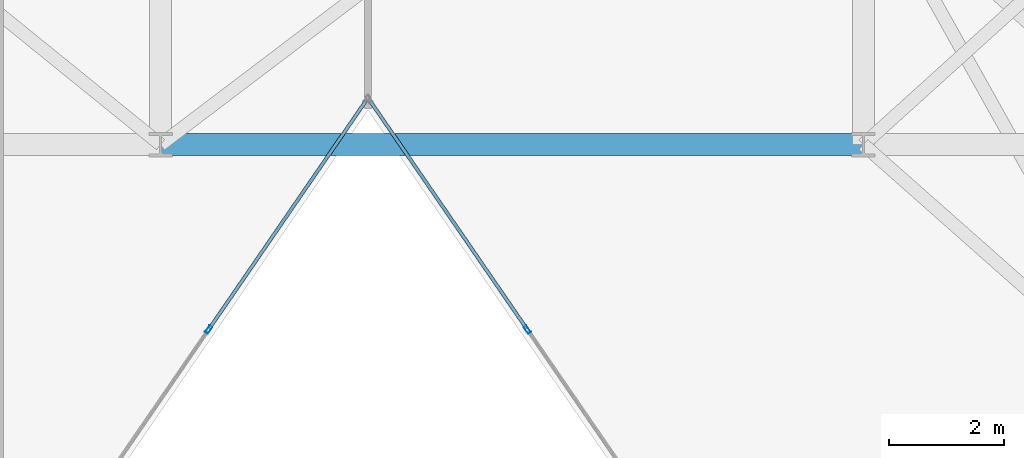
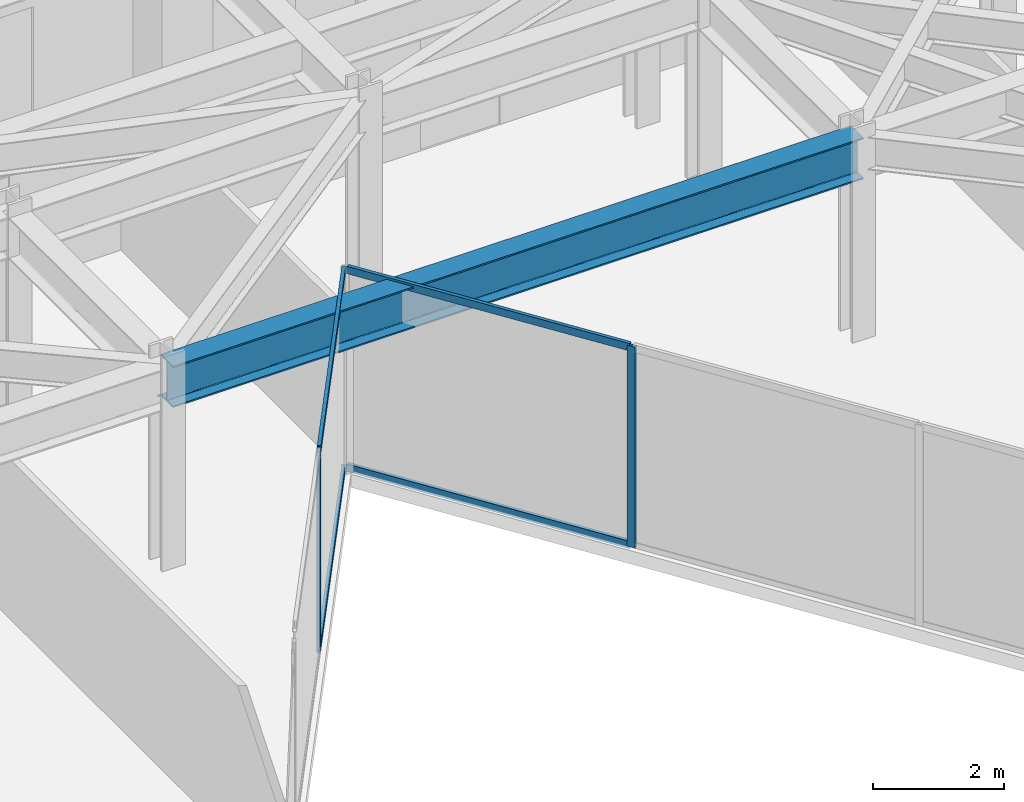
# One storey, part 8 of 27: 6 members, 1 beam, 2 elements without a shape of their own.
"""IFC4 building model written with IfcOpenShell, lengths in metres."""

from ifc_helpers import new_model, si_unit, direction, frame, origin, origin_2d, place, context, subcontext, project, spatial, hollow_rectangle, i_section, extrude, material, layer, layer_set, material_profile, profile_set, type_object, element, aggregate, save


model = new_model("IFC4")

# Units and contexts
model_context = context("Model", 3, precision=1e-05, world=origin(), true_north=direction((0.0, 1.0)))
body_context = subcontext(model_context, "Body", "Model", "MODEL_VIEW")
ifc_project = project(units=[si_unit("LENGTHUNIT", "METRE"), si_unit("AREAUNIT", "SQUARE_METRE"), si_unit("VOLUMEUNIT", "CUBIC_METRE"), si_unit("PLANEANGLEUNIT", "RADIAN"), si_unit("MASSUNIT", "GRAM", prefix="KILO")], contexts=[model_context])

# Site, building, storey
site_placement = place(None, origin())
site = spatial("IfcSite", under=ifc_project, at=site_placement, CompositionType="ELEMENT")
building_placement = place(site_placement, origin())
building = spatial("IfcBuilding", under=site, at=building_placement, Name="Kravanh Interchange Tower", CompositionType="ELEMENT")
storey_placement = place(building_placement, frame((0.0, 0.0, 164.5)))
storey = spatial("IfcBuildingStorey", under=building, at=storey_placement, Name="L39", CompositionType="ELEMENT", Elevation=164.5)

# Curtain wall, member
ifc_material_1 = material(Name="Anodised Bronze Aluminium", Category="aluminium")
ifc_layer = layer(ifc_material_1, 0.179931640625)
ifc_layer_set = layer_set([ifc_layer], Name="Unitised Curtain Wall System CW-Z3 Upper Office")
curtain_wall_type = type_object("IfcCurtainWallType", Name="Unitised Curtain Wall System CW-Z3 Upper Office", PredefinedType="NOTDEFINED", material=ifc_layer_set)
curtain_wall_1_placement = place(storey_placement, origin())
curtain_wall_1 = element("IfcCurtainWall", 1, at=curtain_wall_1_placement, inside=storey, type_object=curtain_wall_type, Name="L39 Unitised Curtain Wall CW-L39-04", PredefinedType="NOTDEFINED")
ifc_material_2 = material(Name="Anodised Bronze Aluminium", Category="aluminium")
ifc_material_profile_1 = material_profile(ifc_material_2, hollow_rectangle(XDim=0.06005859375, YDim=0.139892578125, WallThickness=0.00390625, at=origin_2d()), Name="ALU60X140X4")
ifc_profile_set_1 = profile_set([ifc_material_profile_1], Name="Anodised Bronze Aluminium")
member_type_1 = type_object("IfcMemberType", Name="Curtain Wall Mullion ALU60X140X4 Bronze", PredefinedType="MULLION", material=ifc_profile_set_1)
member_1_placement = place(storey_placement, frame((44.9658203125, 23.5888671875, 0.0), z_axis=(0.0, 0.0, 1.0), x_axis=(-0.824042223035, -0.566528388217, 0.0)))
member_1 = element("IfcMember", 2, at=member_1_placement, type_object=member_type_1, Name="CW-Z3 mullion 4", PredefinedType="MULLION", context=body_context, shape_type="SweptSolid", body=[
    extrude(hollow_rectangle(XDim=0.06005859375, YDim=0.139892578125, WallThickness=0.00390625, at=origin_2d()), origin(), (0.0, 0.0, 1.0), 3.7548828125),
])

curtain_wall_2_placement = place(storey_placement, origin())
curtain_wall_2 = element("IfcCurtainWall", 3, at=curtain_wall_2_placement, inside=storey, type_object=curtain_wall_type, Name="L39 Unitised Curtain Wall CW-L39-05", PredefinedType="NOTDEFINED")
member_2_placement = place(storey_placement, frame((39.434326171875, 23.5888671875, 0.0), z_axis=(0.0, 0.0, 1.0), x_axis=(0.824042223035, -0.566528388217, 0.0)))
member_2 = element("IfcMember", 4, at=member_2_placement, type_object=member_type_1, Name="CW-Z3 mullion 2", PredefinedType="MULLION", context=body_context, shape_type="SweptSolid", body=[
    extrude(hollow_rectangle(XDim=0.06005859375, YDim=0.139892578125, WallThickness=0.00390625, at=origin_2d()), origin(), (0.0, 0.0, 1.0), 3.7548828125),
])

# Member
ifc_material_3 = material(Name="Anodised Bronze Aluminium", Category="aluminium")
ifc_material_profile_2 = material_profile(ifc_material_3, hollow_rectangle(XDim=0.06005859375, YDim=0.139892578125, WallThickness=0.00390625, at=origin_2d()), Name="ALU60X140X4")
ifc_profile_set_2 = profile_set([ifc_material_profile_2], Name="Anodised Bronze Aluminium")
member_type_2 = type_object("IfcMemberType", Name="Curtain Wall Transom ALU60X140X4 Bronze", PredefinedType="USERDEFINED", material=ifc_profile_set_2)
member_3_placement = place(storey_placement, frame((44.94873046875, 23.613525390625, 0.030029296875), z_axis=(-0.566541796314, 0.824033004818, 0.0), x_axis=(-0.824033004818, -0.566541796314, 0.0)))
member_3 = element("IfcMember", 5, at=member_3_placement, type_object=member_type_2, Name="CW-Z3 transom 4.1", ObjectType="TRANSOM", PredefinedType="USERDEFINED", context=body_context, shape_type="SweptSolid", body=[
    extrude(hollow_rectangle(XDim=0.06005859375, YDim=0.139892578125, WallThickness=0.00390625, at=origin_2d()), origin(), (0.0, 0.0, 1.0), 4.7919921875),
])

member_4_placement = place(storey_placement, frame((44.94873046875, 23.613525390625, 3.72509765625), z_axis=(-0.566541796314, 0.824033004818, 0.0), x_axis=(-0.824033004818, -0.566541796314, 0.0)))
member_4 = element("IfcMember", 6, at=member_4_placement, type_object=member_type_2, Name="CW-Z3 transom 4.2", ObjectType="TRANSOM", PredefinedType="USERDEFINED", context=body_context, shape_type="SweptSolid", body=[
    extrude(hollow_rectangle(XDim=0.06005859375, YDim=0.139892578125, WallThickness=0.00390625, at=origin_2d()), origin(), (0.0, 0.0, 1.0), 4.7919921875),
])

aggregate(curtain_wall_1, [member_1, member_3, member_4])

member_5_placement = place(storey_placement, frame((42.166015625, 27.562255859375, 0.030029296875), z_axis=(-0.566541796314, -0.824033004818, 0.0), x_axis=(0.824033004818, -0.566541796314, 0.0)))
member_5 = element("IfcMember", 7, at=member_5_placement, type_object=member_type_2, Name="CW-Z3 transom 1.1", ObjectType="TRANSOM", PredefinedType="USERDEFINED", context=body_context, shape_type="SweptSolid", body=[
    extrude(hollow_rectangle(XDim=0.06005859375, YDim=0.139892578125, WallThickness=0.00390625, at=origin_2d()), origin(), (0.0, 0.0, 1.0), 4.7919921875),
])

member_6_placement = place(storey_placement, frame((42.166015625, 27.562255859375, 3.72509765625), z_axis=(-0.566541796314, -0.824033004818, 0.0), x_axis=(0.824033004818, -0.566541796314, 0.0)))
member_6 = element("IfcMember", 8, at=member_6_placement, type_object=member_type_2, Name="CW-Z3 transom 1.2", ObjectType="TRANSOM", PredefinedType="USERDEFINED", context=body_context, shape_type="SweptSolid", body=[
    extrude(hollow_rectangle(XDim=0.06005859375, YDim=0.139892578125, WallThickness=0.00390625, at=origin_2d()), origin(), (0.0, 0.0, 1.0), 4.7919921875),
])

aggregate(curtain_wall_2, [member_2, member_5, member_6])

# Beam
ifc_material_4 = material(Name="Structural Steel S355", Category="steel")
ifc_material_profile_3 = material_profile(ifc_material_4, i_section(OverallWidth=0.381103515625, OverallDepth=0.77294921875, WebThickness=0.0166015625, FlangeThickness=0.027099609375, FilletRadius=0.02490234375, at=origin_2d()), Name="W30X173")
ifc_profile_set_3 = profile_set([ifc_material_profile_3], Name="Structural Steel S355")
beam_type = type_object("IfcBeamType", Name="Floor Beam W30X173 Structural Steel S355", PredefinedType="BEAM", material=ifc_profile_set_3)
beam_placement = place(storey_placement, frame((38.60009765625, 26.800048828125, 3.368408203125), z_axis=(1.0, 0.0, 0.0), x_axis=(0.0, 1.0, 0.0)))
element("IfcBeam", 9, at=beam_placement, inside=storey, type_object=beam_type, Name="L39 Primary Floor Girder 48", PredefinedType="BEAM", context=body_context, shape_type="SweptSolid", body=[
    extrude(i_section(OverallWidth=0.381103515625, OverallDepth=0.77294921875, WebThickness=0.0166015625, FlangeThickness=0.027099609375, FilletRadius=0.02490234375, at=origin_2d()), origin(), (0.0, 0.0, 1.0), 12.199951171875),
])

save(model, "model.ifc")
